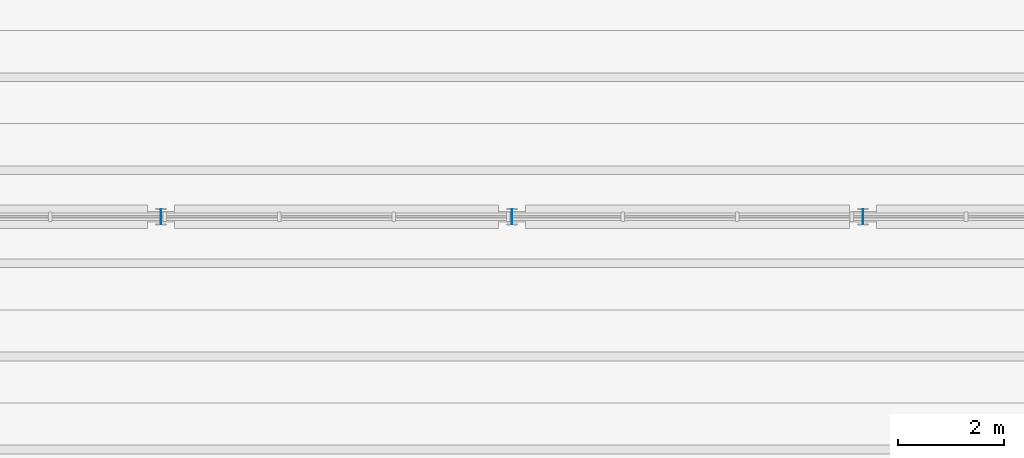
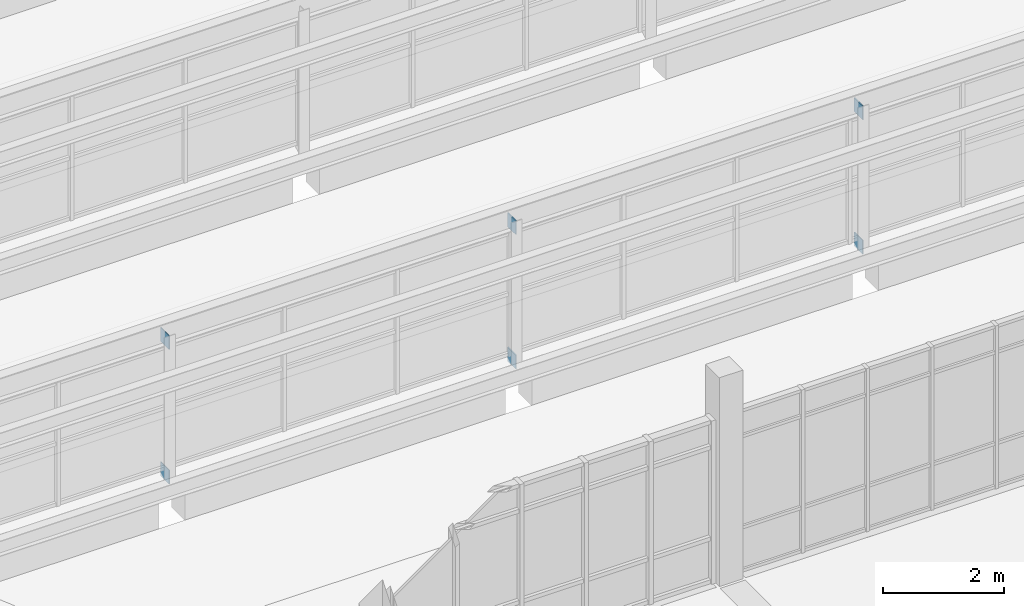
# One storey, part 77 of 92: 6 plates.
"""IFC4 building model written with IfcOpenShell, lengths in metres."""

import ifcopenshell
import ifcopenshell.guid

model = None  # the IFC model being written
_history = None  # IfcOwnerHistory: only IFC2X3 demands one
_inside = {}  # id of a spatial element -> (the spatial element, [elements in it])
_under = {}  # id of a project, library or spatial element -> (it, [spatial elements below it])
_declared = {}  # id of a project -> (the project, [libraries it declares])
_typed = {}  # id of a type object -> (the type object, [elements of that type])
_made_of = {}  # id of a material, layer set ... -> (it, [elements and type objects made of it])


def new_model(schema):
    """Start an empty IFC model of exactly this schema.

    Asked for "IFC4X3", IfcOpenShell would pick the latest addendum, in which some entities
    have other attributes; the version numbers below select the first issue.
    IFC2X3 requires an IfcOwnerHistory on every rooted entity: one is made here for all.
    """
    global model, _history
    if schema == "IFC4X3":
        model = ifcopenshell.file(schema_version=(4, 3, 0, 0))
    else:
        model = ifcopenshell.file(schema=schema)
    _inside.clear()
    _under.clear()
    _declared.clear()
    _typed.clear()
    _made_of.clear()
    _history = None
    if model.schema == "IFC2X3":
        org = make("IfcOrganization", Name="unknown")
        user = make(
            "IfcPersonAndOrganization",
            ThePerson=make("IfcPerson", FamilyName="unknown"),
            TheOrganization=org,
        )
        app = make(
            "IfcApplication",
            ApplicationDeveloper=org,
            Version="unknown",
            ApplicationFullName="unknown",
            ApplicationIdentifier="unknown",
        )
        _history = make(
            "IfcOwnerHistory",
            OwningUser=user,
            OwningApplication=app,
            ChangeAction="ADDED",
            CreationDate=0,
        )
    return model


def make(cls, **values):
    """One entity of the class cls with the attributes given. An attribute that is None is left unset."""
    return model.create_entity(
        cls, **{name: value for name, value in values.items() if value is not None}
    )


def rooted(cls, **values):
    """An entity with a GlobalId (a new one), such as an element, a storey or a relation."""
    return make(cls, GlobalId=ifcopenshell.guid.new(), OwnerHistory=_history, **values)


def si_unit(unit_type, name, prefix=None):
    """IfcSIUnit, for example si_unit("LENGTHUNIT", "METRE", prefix="MILLI")."""
    return make("IfcSIUnit", UnitType=unit_type, Prefix=prefix, Name=name)


def assignment(units):
    """IfcUnitAssignment: the units of a project."""
    return None if units is None else make("IfcUnitAssignment", Units=units)


def point(xyz):
    """IfcCartesianPoint."""
    return None if xyz is None else make("IfcCartesianPoint", Coordinates=xyz)


def direction(xyz):
    """IfcDirection."""
    return None if xyz is None else make("IfcDirection", DirectionRatios=xyz)


def frame(location, z_axis=None, x_axis=None):
    """IfcAxis2Placement3D, a coordinate frame: its origin and axes. An axis left out is left unset."""
    return make(
        "IfcAxis2Placement3D",
        Location=point(location),
        Axis=direction(z_axis),
        RefDirection=direction(x_axis),
    )


def frame_2d(location, x_axis=None):
    """IfcAxis2Placement2D, a coordinate frame in the plane: its origin and x axis."""
    return make(
        "IfcAxis2Placement2D", Location=point(location), RefDirection=direction(x_axis)
    )


def origin():
    """The frame at (0, 0, 0) with its axes left unset."""
    return frame((0.0, 0.0, 0.0))


def origin_2d():
    """The frame at (0, 0) in the plane with its x axis left unset."""
    return frame_2d((0.0, 0.0))


def place(relative_to, where):
    """IfcLocalPlacement: puts the frame where relative to a parent placement (None: the world)."""
    return make(
        "IfcLocalPlacement", PlacementRelTo=relative_to, RelativePlacement=where
    )


def context(
    kind, dimensions, precision=None, world=None, true_north=None, identifier=None
):
    """IfcGeometricRepresentationContext, for example the 3D "Model" context."""
    return make(
        "IfcGeometricRepresentationContext",
        ContextIdentifier=identifier,
        ContextType=kind,
        CoordinateSpaceDimension=dimensions,
        Precision=precision,
        WorldCoordinateSystem=world,
        TrueNorth=true_north,
    )


def subcontext(parent, identifier, kind, view, scale=None):
    """IfcGeometricRepresentationSubContext, for example "Body" below "Model"."""
    return make(
        "IfcGeometricRepresentationSubContext",
        ContextIdentifier=identifier,
        ContextType=kind,
        ParentContext=parent,
        TargetScale=scale,
        TargetView=view,
    )


def project(units=None, contexts=None):
    """IfcProject with its units and contexts."""
    return rooted(
        "IfcProject",
        Name="project",
        RepresentationContexts=contexts,
        UnitsInContext=assignment(units),
    )


def spatial(cls, under=None, at=None, **own):
    """A site, building, storey or space (cls), placed at a placement, below another one or the project."""
    s = rooted(cls, ObjectPlacement=at, **own)
    if under is not None:
        _under.setdefault(under.id(), (under, []))[1].append(s)
    return s


def profile(cls, at=None, kind="AREA", **sizes):
    """A parametric profile (cls). Its sizes go by their IFC names, for example OverallWidth=200.0."""
    return make(cls, ProfileType=kind, Position=at, **sizes)


def rectangle(**sizes):
    """IfcRectangleProfileDef."""
    return profile("IfcRectangleProfileDef", **sizes)


def extrude(swept, where, along, depth):
    """IfcExtrudedAreaSolid: the profile swept, set in the frame where, extruded along a direction by depth."""
    return make(
        "IfcExtrudedAreaSolid",
        SweptArea=swept,
        Position=where,
        ExtrudedDirection=direction(along),
        Depth=depth,
    )


def shape(context_of_items, identifier, shape_type, items):
    """IfcShapeRepresentation: the items that make up one representation, for example the "Body"."""
    return make(
        "IfcShapeRepresentation",
        ContextOfItems=context_of_items,
        RepresentationIdentifier=identifier,
        RepresentationType=shape_type,
        Items=items,
    )


def material(Name=None, Category=None):
    """IfcMaterial."""
    return make("IfcMaterial", Name=Name, Category=Category)


def layer(
    of_material, thickness, ventilated=None, Name=None, Category=None, Priority=None
):
    """IfcMaterialLayer: one layer of a wall or slab, of a material (None: an air gap)."""
    return make(
        "IfcMaterialLayer",
        Material=of_material,
        LayerThickness=thickness,
        IsVentilated=ventilated,
        Name=Name,
        Category=Category,
        Priority=Priority,
    )


def layer_set(layers, Name=None):
    """IfcMaterialLayerSet."""
    return make("IfcMaterialLayerSet", MaterialLayers=layers, LayerSetName=Name)


def made_of(thing, what):
    """Note that an element or type object is made of a material, layer set ...; save() writes the relation."""
    if what is not None:
        _made_of.setdefault(what.id(), (what, []))[1].append(thing)
    return thing


def type_object(cls, material=None, **own):
    """A type object (cls), such as IfcWallType, which elements share."""
    return made_of(rooted(cls, **own), material)


def element(
    cls,
    number,
    at=None,
    inside=None,
    cuts=None,
    type_object=None,
    material=None,
    context=None,
    identifier="Body",
    shape_type=None,
    held_by="IfcProductDefinitionShape",
    body=None,
    shapes=None,
    **own,
):
    """One element of the class cls, such as IfcWall. Its Tag is "e" and its number.

    at: its placement. inside: the storey or other place that contains it. cuts: it is an
    opening in that element (IfcRelVoidsElement). A single representation is given by context,
    identifier, shape_type and body (its items); several are given by shapes. held_by: the class
    of the entity that holds the representations. save() writes the other relations.
    """
    e = rooted(cls, Tag="e%d" % number, ObjectPlacement=at, **own)
    if body is not None:
        shapes = [shape(context, identifier, shape_type, body)]
    if shapes is not None:
        e.Representation = make(held_by, Representations=shapes)
    if inside is not None:
        _inside.setdefault(inside.id(), (inside, []))[1].append(e)
    if cuts is not None:
        rooted(
            "IfcRelVoidsElement", RelatingBuildingElement=cuts, RelatedOpeningElement=e
        )
    if type_object is not None:
        _typed.setdefault(type_object.id(), (type_object, []))[1].append(e)
    return made_of(e, material)


def aggregate(whole, parts):
    """IfcRelAggregates: a whole, such as a stair, and the parts it consists of."""
    return rooted("IfcRelAggregates", RelatingObject=whole, RelatedObjects=parts)


def save(model, path):
    """Write the relations noted so far, then the file.

    IfcRelAggregates (storeys below a building ...), IfcRelContainedInSpatialStructure (elements
    in a storey), IfcRelDefinesByType, IfcRelAssociatesMaterial and IfcRelDeclares: one each for
    every whole, place, type object, material and project.
    """
    for whole, parts in _under.values():
        aggregate(whole, parts)
    for where, things in _inside.values():
        rooted(
            "IfcRelContainedInSpatialStructure",
            RelatedElements=things,
            RelatingStructure=where,
        )
    for kind, things in _typed.values():
        rooted("IfcRelDefinesByType", RelatedObjects=things, RelatingType=kind)
    for what, things in _made_of.values():
        rooted("IfcRelAssociatesMaterial", RelatedObjects=things, RelatingMaterial=what)
    for by, libraries in _declared.values():
        rooted("IfcRelDeclares", RelatingContext=by, RelatedDefinitions=libraries)
    model.write(path)


model = new_model("IFC4")

# Units and contexts
model_context = context("Model", 3, precision=1e-05, world=origin(), true_north=direction((0.0, 1.0)))
body_context = subcontext(model_context, "Body", "Model", "MODEL_VIEW")
ifc_project = project(units=[si_unit("LENGTHUNIT", "METRE"), si_unit("AREAUNIT", "SQUARE_METRE"), si_unit("VOLUMEUNIT", "CUBIC_METRE"), si_unit("PLANEANGLEUNIT", "RADIAN"), si_unit("MASSUNIT", "GRAM", prefix="KILO")], contexts=[model_context])

# Site, building, storey
site_placement = place(None, origin())
site = spatial("IfcSite", under=ifc_project, at=site_placement, CompositionType="ELEMENT")
building_placement = place(site_placement, origin())
building = spatial("IfcBuilding", under=site, at=building_placement, Name="Ciguamira Faculty of Natural Sciences", CompositionType="ELEMENT")
storey_placement = place(building_placement, frame((0.0, 0.0, 16.800048828125)))
storey = spatial("IfcBuildingStorey", under=building, at=storey_placement, Name="L04", CompositionType="ELEMENT", Elevation=16.800048828125)

# Plates
ifc_material = material(Name="Steel ASTM A572 Grade 50", Category="steel")
ifc_layer = layer(ifc_material, 0.01611328125, Name="Steel ASTM A572 Grade 50")
ifc_layer_set = layer_set([ifc_layer], Name="Steel ASTM A572 Grade 50")
plate_type = type_object("IfcPlateType", Name="GussetPlate_EP-01", PredefinedType="SHEET", material=ifc_layer_set)
for number, where, z_axis, x_axis, name in (
    (1, (83.699951171875, 45.0, 0.0), (0.0, 0.0, 1.0), (1.0, 0.0, 0.0), "V4 wave 1 post connection plate 84-1"),
    (2, (83.699951171875, 45.0, 2.7060546875), (0.0, 0.0, 1.0), (1.0, 0.0, 0.0), "V4 wave 1 post connection plate 84-2"),
    (3, (90.300048828125, 45.0, 0.0), (0.0, 0.0, 1.0), (1.0, 0.0, 0.0), "V4 wave 1 post connection plate 90-1"),
    (4, (90.300048828125, 45.0, 2.7060546875), (0.0, 0.0, 1.0), (1.0, 0.0, 0.0), "V4 wave 1 post connection plate 90-2"),
    (5, (96.89990234375, 45.0, 0.0), (0.0, 0.0, 1.0), (1.0, 0.0, 0.0), "V4 wave 1 post connection plate 97-1"),
    (6, (96.89990234375, 45.0, 2.7060546875), (0.0, 0.0, 1.0), (1.0, 0.0, 0.0), "V4 wave 1 post connection plate 97-2"),
):
    element("IfcPlate", number, at=place(storey_placement, frame(where, z_axis=z_axis, x_axis=x_axis)), inside=storey, type_object=plate_type, Name=name, PredefinedType="SHEET", context=body_context, shape_type="SweptSolid", body=[
        extrude(rectangle(XDim=0.01611328125, YDim=0.280029296875, at=origin_2d()), origin(), (0.0, 0.0, 1.0), 0.280029296875),
    ])

save(model, "model.ifc")
